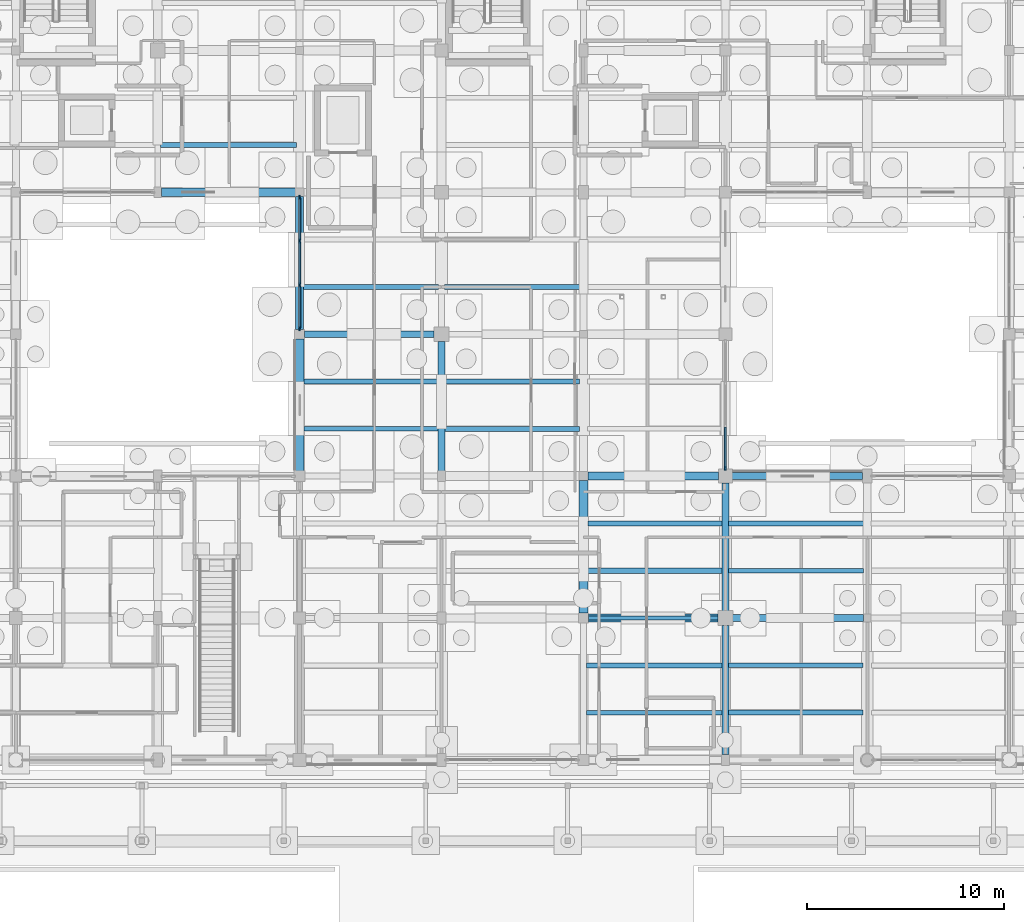
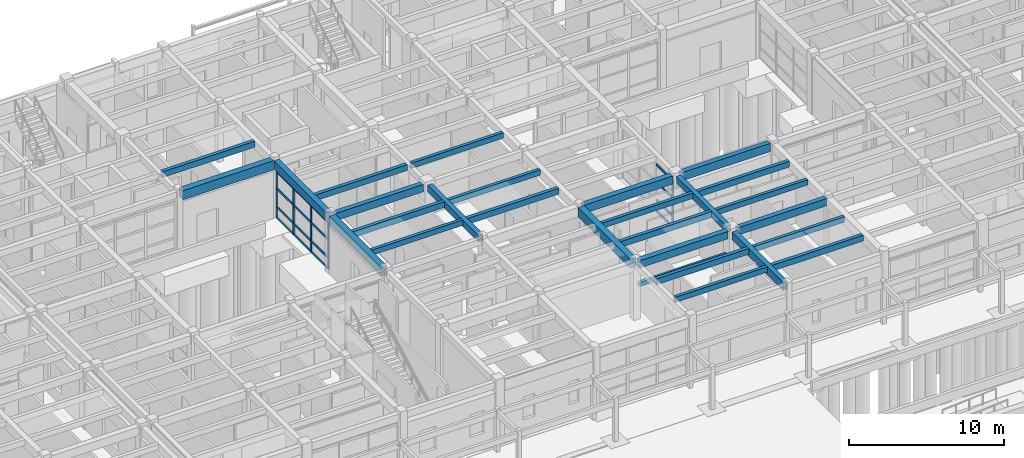
# One storey, part 63 of 143: 28 beams, 21 members, 2 elements without a shape of their own.
"""IFC4 building model written with IfcOpenShell, lengths in metres."""

from ifc_helpers import new_model, si_unit, direction, frame, origin, origin_2d, place, context, subcontext, project, spatial, rectangle, extrude, material, material_profile, profile_set, type_object, element, aggregate, save


model = new_model("IFC4")

# Units and contexts
model_context = context("Model", 3, precision=1e-05, world=origin(), true_north=direction((0.0, 1.0)))
body_context = subcontext(model_context, "Body", "Model", "MODEL_VIEW")
ifc_project = project(units=[si_unit("LENGTHUNIT", "METRE"), si_unit("AREAUNIT", "SQUARE_METRE"), si_unit("VOLUMEUNIT", "CUBIC_METRE"), si_unit("PLANEANGLEUNIT", "RADIAN"), si_unit("MASSUNIT", "GRAM", prefix="KILO")], contexts=[model_context])

# Site, building, storey
site_placement = place(None, origin())
site = spatial("IfcSite", under=ifc_project, at=site_placement, CompositionType="ELEMENT")
building_placement = place(site_placement, origin())
building = spatial("IfcBuilding", under=site, at=building_placement, Name="Steenspoor Specialist Clinic", CompositionType="ELEMENT")
storey_placement = place(building_placement, origin())
storey = spatial("IfcBuildingStorey", under=building, at=storey_placement, Name="L00", CompositionType="ELEMENT", Elevation=0.0)

# Beams
ifc_material_1 = material(Name="Concrete C35/45", Category="concrete")
ifc_material_profile_1 = material_profile(ifc_material_1, rectangle(XDim=0.35009765625, YDim=0.52001953125, at=origin_2d()), Name="RC-BM-350X520")
ifc_profile_set_1 = profile_set([ifc_material_profile_1], Name="Concrete C35/45")
beam_type_1 = type_object("IfcBeamType", Name="BM-RC-350X520", PredefinedType="BEAM", material=ifc_profile_set_1)
beam_1_placement = place(storey_placement, frame((81.199951171875, 79.820068359375, 4.2900390625), z_axis=(0.0, 1.0, 0.0), x_axis=(-1.0, 0.0, 0.0)))
element("IfcBeam", 1, at=beam_1_placement, inside=storey, type_object=beam_type_1, Name="BM-V4-L00-Y0365", PredefinedType="BEAM", context=body_context, shape_type="SweptSolid", body=[
    extrude(rectangle(XDim=0.35009765625, YDim=0.52001953125, at=origin_2d()), origin(), (0.0, 0.0, 1.0), 6.559814453125),
])
beam_2_placement = place(storey_placement, frame((95.60009765625, 72.719970703125, 4.2900390625), z_axis=(0.0, 1.0, 0.0), x_axis=(-1.0, 0.0, 0.0)))
element("IfcBeam", 2, at=beam_2_placement, inside=storey, type_object=beam_type_1, Name="BM-V4-L00-Y0376", PredefinedType="BEAM", context=body_context, shape_type="SweptSolid", body=[
    extrude(rectangle(XDim=0.35009765625, YDim=0.52001953125, at=origin_2d()), origin(), (0.0, 0.0, 1.0), 6.485107421875),
])
ifc_material_profile_2 = material_profile(ifc_material_1, rectangle(XDim=0.35009765625, YDim=0.580078125, at=origin_2d()), Name="RC-BM-350X580")
ifc_profile_set_2 = profile_set([ifc_material_profile_2], Name="Concrete C35/45")
beam_type_2 = type_object("IfcBeamType", Name="BM-RC-350X580", PredefinedType="BEAM", material=ifc_profile_set_2)
beam_3_placement = place(storey_placement, frame((95.969970703125, 72.35009765625, 4.260009765625), z_axis=(1.0, 0.0, 0.0), x_axis=(0.0, 1.0, 0.0)))
element("IfcBeam", 3, at=beam_3_placement, inside=storey, type_object=beam_type_2, Name="BM-V4-L00-X0300", PredefinedType="BEAM", context=body_context, shape_type="SweptSolid", body=[
    extrude(rectangle(XDim=0.35009765625, YDim=0.580078125, at=origin_2d()), origin(), (0.0, 0.0, 1.0), 6.635009765625),
])
beam_4_placement = place(storey_placement, frame((74.2451171875, 86.75, 4.260009765625), z_axis=(1.0, 0.0, 0.0), x_axis=(0.0, 1.0, 0.0)))
element("IfcBeam", 4, at=beam_4_placement, inside=storey, type_object=beam_type_2, Name="BM-V4-L00-X0313", PredefinedType="BEAM", context=body_context, shape_type="SweptSolid", body=[
    extrude(rectangle(XDim=0.35009765625, YDim=0.580078125, at=origin_2d()), origin(), (0.0, 0.0, 1.0), 6.5849609375),
])
ifc_material_profile_3 = material_profile(ifc_material_1, rectangle(XDim=0.35009765625, YDim=0.64990234375, at=origin_2d()), Name="RC-BM-350X650")
ifc_profile_set_3 = profile_set([ifc_material_profile_3], Name="Concrete C35/45")
beam_type_3 = type_object("IfcBeamType", Name="BM-RC-350X650", PredefinedType="BEAM", material=ifc_profile_set_3)
beam_5_placement = place(storey_placement, frame((95.945068359375, 79.550048828125, 4.22509765625), z_axis=(1.0, 0.0, 0.0), x_axis=(0.0, 1.0, 0.0)))
element("IfcBeam", 5, at=beam_5_placement, inside=storey, type_object=beam_type_3, Name="BM-V4-L00-X0309", PredefinedType="BEAM", context=body_context, shape_type="SweptSolid", body=[
    extrude(rectangle(XDim=0.35009765625, YDim=0.64990234375, at=origin_2d()), origin(), (0.0, 0.0, 1.0), 6.60986328125),
])
beam_6_placement = place(storey_placement, frame((95.60009765625, 65.419921875, 4.22509765625), z_axis=(0.0, 1.0, 0.0), x_axis=(-1.0, 0.0, 0.0)))
element("IfcBeam", 6, at=beam_6_placement, inside=storey, type_object=beam_type_3, Name="BM-V4-L00-Y0375", PredefinedType="BEAM", context=body_context, shape_type="SweptSolid", body=[
    extrude(rectangle(XDim=0.35009765625, YDim=0.64990234375, at=origin_2d()), origin(), (0.0, 0.0, 1.0), 6.56005859375),
])
ifc_material_profile_4 = material_profile(ifc_material_1, rectangle(XDim=0.39990234375, YDim=0.580078125, at=origin_2d()), Name="RC-BM-400X580")
ifc_profile_set_4 = profile_set([ifc_material_profile_4], Name="Concrete C35/45")
beam_type_4 = type_object("IfcBeamType", Name="BM-RC-400X580", PredefinedType="BEAM", material=ifc_profile_set_4)
beam_7_placement = place(storey_placement, frame((88.64501953125, 72.35009765625, 4.260009765625), z_axis=(1.0, 0.0, 0.0), x_axis=(0.0, 1.0, 0.0)))
element("IfcBeam", 7, at=beam_7_placement, inside=storey, type_object=beam_type_4, Name="BM-V4-L00-X0299", PredefinedType="BEAM", context=body_context, shape_type="SweptSolid", body=[
    extrude(rectangle(XDim=0.39990234375, YDim=0.580078125, at=origin_2d()), origin(), (0.0, 0.0, 1.0), 6.5849609375),
])
ifc_material_profile_5 = material_profile(ifc_material_1, rectangle(XDim=0.39990234375, YDim=0.64990234375, at=origin_2d()), Name="RC-BM-400X650")
ifc_profile_set_5 = profile_set([ifc_material_profile_5], Name="Concrete C35/45")
beam_type_5 = type_object("IfcBeamType", Name="BM-RC-400X650", PredefinedType="BEAM", material=ifc_profile_set_5)
beam_8_placement = place(storey_placement, frame((88.6201171875, 79.550048828125, 4.22509765625), z_axis=(1.0, 0.0, 0.0), x_axis=(0.0, 1.0, 0.0)))
element("IfcBeam", 8, at=beam_8_placement, inside=storey, type_object=beam_type_5, Name="BM-V4-L00-X0308", PredefinedType="BEAM", context=body_context, shape_type="SweptSolid", body=[
    extrude(rectangle(XDim=0.39990234375, YDim=0.64990234375, at=origin_2d()), origin(), (0.0, 0.0, 1.0), 6.634765625),
])
beam_9_placement = place(storey_placement, frame((74.0, 86.9951171875, 4.22509765625), z_axis=(0.0, 1.0, 0.0), x_axis=(-1.0, 0.0, 0.0)))
element("IfcBeam", 9, at=beam_9_placement, inside=storey, type_object=beam_type_5, Name="BM-V4-L00-Y0360", PredefinedType="BEAM", context=body_context, shape_type="SweptSolid", body=[
    extrude(rectangle(XDim=0.39990234375, YDim=0.64990234375, at=origin_2d()), origin(), (0.0, 0.0, 1.0), 6.73486328125),
])
ifc_material_profile_6 = material_profile(ifc_material_1, rectangle(XDim=0.449951171875, YDim=0.719970703125, at=origin_2d()), Name="RC-BM-450X720")
ifc_profile_set_6 = profile_set([ifc_material_profile_6], Name="Concrete C35/45")
beam_type_6 = type_object("IfcBeamType", Name="BM-RC-450X720", PredefinedType="BEAM", material=ifc_profile_set_6)
beam_10_placement = place(storey_placement, frame((66.9951171875, 93.949951171875, 4.18994140625), z_axis=(1.0, 0.0, 0.0), x_axis=(0.0, 1.0, 0.0)))
element("IfcBeam", 10, at=beam_10_placement, inside=storey, type_object=beam_type_6, Name="BM-V4-L00-X0319", PredefinedType="BEAM", context=body_context, shape_type="SweptSolid", body=[
    extrude(rectangle(XDim=0.449951171875, YDim=0.719970703125, at=origin_2d()), origin(), (0.0, 0.0, 1.0), 6.784912109375),
])
beam_11_placement = place(storey_placement, frame((74.0, 79.820068359375, 4.18994140625), z_axis=(0.0, 1.0, 0.0), x_axis=(-1.0, 0.0, 0.0)))
element("IfcBeam", 11, at=beam_11_placement, inside=storey, type_object=beam_type_6, Name="BM-V4-L00-Y0359", PredefinedType="BEAM", context=body_context, shape_type="SweptSolid", body=[
    extrude(rectangle(XDim=0.449951171875, YDim=0.719970703125, at=origin_2d()), origin(), (0.0, 0.0, 1.0), 6.684814453125),
])
beam_12_placement = place(storey_placement, frame((88.39990234375, 72.594970703125, 4.18994140625), z_axis=(0.0, 1.0, 0.0), x_axis=(-1.0, 0.0, 0.0)))
element("IfcBeam", 12, at=beam_12_placement, inside=storey, type_object=beam_type_6, Name="BM-V4-L00-Y0370", PredefinedType="BEAM", context=body_context, shape_type="SweptSolid", body=[
    extrude(rectangle(XDim=0.449951171875, YDim=0.719970703125, at=origin_2d()), origin(), (0.0, 0.0, 1.0), 6.735107421875),
])

# Curtain wall, members
ifc_material_2 = material(Name="Thermally broken aluminium and low-emissivity glass", Category="aluminium")
curtain_wall_type_1 = type_object("IfcCurtainWallType", Name="CW-L00-480X415", PredefinedType="USERDEFINED", material=ifc_material_2)
curtain_wall_1_placement = place(storey_placement, origin())
curtain_wall_1 = element("IfcCurtainWall", 13, at=curtain_wall_1_placement, inside=storey, type_object=curtain_wall_type_1, Name="Unitised Curtain Wall CW-V4-L00-054", ObjectType="UNITISED GLAZING", PredefinedType="USERDEFINED")
ifc_material_3 = material(Name="Thermally broken aluminium 6063-T6", Category="aluminium")
ifc_material_profile_7 = material_profile(ifc_material_3, rectangle(XDim=0.080078125, YDim=0.219970703125, at=origin_2d()), Name="CWM-80X220")
ifc_profile_set_7 = profile_set([ifc_material_profile_7], Name="Thermally broken aluminium 6063-T6")
member_type_1 = type_object("IfcMemberType", Name="CW-MULL-80X220", PredefinedType="MULLION", material=ifc_profile_set_7)
member_1_placement = place(storey_placement, frame((74.0, 87.0400390625, 0.0), z_axis=(0.0, 0.0, 1.0), x_axis=(-1.0, 0.0, 0.0)))
member_1 = element("IfcMember", 14, at=member_1_placement, type_object=member_type_1, Name="CW-06 mullion 1", PredefinedType="MULLION", context=body_context, shape_type="SweptSolid", body=[
    extrude(rectangle(XDim=0.080078125, YDim=0.219970703125, at=origin_2d()), origin(), (0.0, 0.0, 1.0), 3.72998046875),
])
member_2_placement = place(storey_placement, frame((74.0, 89.24169921875, 0.0), z_axis=(0.0, 0.0, 1.0), x_axis=(-1.0, 0.0, 0.0)))
member_2 = element("IfcMember", 15, at=member_2_placement, type_object=member_type_1, Name="CW-06 mullion 2", PredefinedType="MULLION", context=body_context, shape_type="SweptSolid", body=[
    extrude(rectangle(XDim=0.080078125, YDim=0.219970703125, at=origin_2d()), origin(), (0.0, 0.0, 1.0), 3.72998046875),
])
member_3_placement = place(storey_placement, frame((74.0, 91.4833984375, 0.0), z_axis=(0.0, 0.0, 1.0), x_axis=(-1.0, 0.0, 0.0)))
member_3 = element("IfcMember", 16, at=member_3_placement, type_object=member_type_1, Name="CW-06 mullion 3", PredefinedType="MULLION", context=body_context, shape_type="SweptSolid", body=[
    extrude(rectangle(XDim=0.080078125, YDim=0.219970703125, at=origin_2d()), origin(), (0.0, 0.0, 1.0), 3.72998046875),
])
member_4_placement = place(storey_placement, frame((74.0, 93.68505859375, 0.0), z_axis=(0.0, 0.0, 1.0), x_axis=(-1.0, 0.0, 0.0)))
member_4 = element("IfcMember", 17, at=member_4_placement, type_object=member_type_1, Name="CW-06 mullion 4", PredefinedType="MULLION", context=body_context, shape_type="SweptSolid", body=[
    extrude(rectangle(XDim=0.080078125, YDim=0.219970703125, at=origin_2d()), origin(), (0.0, 0.0, 1.0), 3.72998046875),
])

# Curtain wall, member
curtain_wall_type_2 = type_object("IfcCurtainWallType", Name="CW-TYP-540X355", PredefinedType="USERDEFINED", material=ifc_material_2)
curtain_wall_2_placement = place(storey_placement, origin())
curtain_wall_2 = element("IfcCurtainWall", 18, at=curtain_wall_2_placement, inside=storey, type_object=curtain_wall_type_2, Name="Unitised Curtain Wall CW-V4-L00-059", ObjectType="UNITISED GLAZING", PredefinedType="USERDEFINED")
ifc_material_profile_8 = material_profile(ifc_material_3, rectangle(XDim=0.090087890625, YDim=0.199951171875, at=origin_2d()), Name="CWM-90X200")
ifc_profile_set_8 = profile_set([ifc_material_profile_8], Name="Thermally broken aluminium 6063-T6")
member_type_2 = type_object("IfcMemberType", Name="CW-MULL-90X200", PredefinedType="MULLION", material=ifc_profile_set_8)
member_5_placement = place(storey_placement, frame((95.60009765625, 79.945068359375, 0.0), z_axis=(0.0, 0.0, 1.0), x_axis=(1.0, 0.0, 0.0)))
member_5 = element("IfcMember", 19, at=member_5_placement, type_object=member_type_2, Name="CW-11 mullion 4", PredefinedType="MULLION", context=body_context, shape_type="SweptSolid", body=[
    extrude(rectangle(XDim=0.090087890625, YDim=0.199951171875, at=origin_2d()), origin(), (0.0, 0.0, 1.0), 3.72998046875),
])

# Member
ifc_material_profile_9 = material_profile(ifc_material_3, rectangle(XDim=0.090087890625, YDim=0.175048828125, at=origin_2d()), Name="CWT-90X175")
ifc_profile_set_9 = profile_set([ifc_material_profile_9], Name="Thermally broken aluminium 6063-T6")
member_type_3 = type_object("IfcMemberType", Name="CW-TRAN-90X175", PredefinedType="USERDEFINED", material=ifc_profile_set_9)
member_6_placement = place(storey_placement, frame((74.0, 87.080078125, 0.044921875), z_axis=(0.0, 1.0, 0.0), x_axis=(-1.0, 0.0, 0.0)))
member_6 = element("IfcMember", 20, at=member_6_placement, type_object=member_type_3, Name="CW-06 transom 1.1", ObjectType="TRANSOM", PredefinedType="USERDEFINED", context=body_context, shape_type="SweptSolid", body=[
    extrude(rectangle(XDim=0.090087890625, YDim=0.175048828125, at=origin_2d()), origin(), (0.0, 0.0, 1.0), 2.12158203125),
])

member_7_placement = place(storey_placement, frame((74.0, 87.080078125, 0.89990234375), z_axis=(0.0, 1.0, 0.0), x_axis=(-1.0, 0.0, 0.0)))
member_7 = element("IfcMember", 21, at=member_7_placement, type_object=member_type_3, Name="CW-06 transom 1.2", ObjectType="TRANSOM", PredefinedType="USERDEFINED", context=body_context, shape_type="SweptSolid", body=[
    extrude(rectangle(XDim=0.090087890625, YDim=0.175048828125, at=origin_2d()), origin(), (0.0, 0.0, 1.0), 2.12158203125),
])

member_8_placement = place(storey_placement, frame((74.0, 87.080078125, 2.35009765625), z_axis=(0.0, 1.0, 0.0), x_axis=(-1.0, 0.0, 0.0)))
member_8 = element("IfcMember", 22, at=member_8_placement, type_object=member_type_3, Name="CW-06 transom 1.3", ObjectType="TRANSOM", PredefinedType="USERDEFINED", context=body_context, shape_type="SweptSolid", body=[
    extrude(rectangle(XDim=0.090087890625, YDim=0.175048828125, at=origin_2d()), origin(), (0.0, 0.0, 1.0), 2.12158203125),
])

member_9_placement = place(storey_placement, frame((74.0, 87.080078125, 3.68505859375), z_axis=(0.0, 1.0, 0.0), x_axis=(-1.0, 0.0, 0.0)))
member_9 = element("IfcMember", 23, at=member_9_placement, type_object=member_type_3, Name="CW-06 transom 1.4", ObjectType="TRANSOM", PredefinedType="USERDEFINED", context=body_context, shape_type="SweptSolid", body=[
    extrude(rectangle(XDim=0.090087890625, YDim=0.175048828125, at=origin_2d()), origin(), (0.0, 0.0, 1.0), 2.12158203125),
])

member_10_placement = place(storey_placement, frame((74.0, 89.28173828125, 0.044921875), z_axis=(0.0, 1.0, 0.0), x_axis=(-1.0, 0.0, 0.0)))
member_10 = element("IfcMember", 24, at=member_10_placement, type_object=member_type_3, Name="CW-06 transom 2.1", ObjectType="TRANSOM", PredefinedType="USERDEFINED", context=body_context, shape_type="SweptSolid", body=[
    extrude(rectangle(XDim=0.090087890625, YDim=0.175048828125, at=origin_2d()), origin(), (0.0, 0.0, 1.0), 2.16162109375),
])

member_11_placement = place(storey_placement, frame((74.0, 89.28173828125, 0.89990234375), z_axis=(0.0, 1.0, 0.0), x_axis=(-1.0, 0.0, 0.0)))
member_11 = element("IfcMember", 25, at=member_11_placement, type_object=member_type_3, Name="CW-06 transom 2.2", ObjectType="TRANSOM", PredefinedType="USERDEFINED", context=body_context, shape_type="SweptSolid", body=[
    extrude(rectangle(XDim=0.090087890625, YDim=0.175048828125, at=origin_2d()), origin(), (0.0, 0.0, 1.0), 2.16162109375),
])

member_12_placement = place(storey_placement, frame((74.0, 89.28173828125, 2.35009765625), z_axis=(0.0, 1.0, 0.0), x_axis=(-1.0, 0.0, 0.0)))
member_12 = element("IfcMember", 26, at=member_12_placement, type_object=member_type_3, Name="CW-06 transom 2.3", ObjectType="TRANSOM", PredefinedType="USERDEFINED", context=body_context, shape_type="SweptSolid", body=[
    extrude(rectangle(XDim=0.090087890625, YDim=0.175048828125, at=origin_2d()), origin(), (0.0, 0.0, 1.0), 2.16162109375),
])

member_13_placement = place(storey_placement, frame((74.0, 89.28173828125, 3.68505859375), z_axis=(0.0, 1.0, 0.0), x_axis=(-1.0, 0.0, 0.0)))
member_13 = element("IfcMember", 27, at=member_13_placement, type_object=member_type_3, Name="CW-06 transom 2.4", ObjectType="TRANSOM", PredefinedType="USERDEFINED", context=body_context, shape_type="SweptSolid", body=[
    extrude(rectangle(XDim=0.090087890625, YDim=0.175048828125, at=origin_2d()), origin(), (0.0, 0.0, 1.0), 2.16162109375),
])

member_14_placement = place(storey_placement, frame((74.0, 91.5234375, 0.044921875), z_axis=(0.0, 1.0, 0.0), x_axis=(-1.0, 0.0, 0.0)))
member_14 = element("IfcMember", 28, at=member_14_placement, type_object=member_type_3, Name="CW-06 transom 3.1", ObjectType="TRANSOM", PredefinedType="USERDEFINED", context=body_context, shape_type="SweptSolid", body=[
    extrude(rectangle(XDim=0.090087890625, YDim=0.175048828125, at=origin_2d()), origin(), (0.0, 0.0, 1.0), 2.12158203125),
])

member_15_placement = place(storey_placement, frame((74.0, 91.5234375, 0.89990234375), z_axis=(0.0, 1.0, 0.0), x_axis=(-1.0, 0.0, 0.0)))
member_15 = element("IfcMember", 29, at=member_15_placement, type_object=member_type_3, Name="CW-06 transom 3.2", ObjectType="TRANSOM", PredefinedType="USERDEFINED", context=body_context, shape_type="SweptSolid", body=[
    extrude(rectangle(XDim=0.090087890625, YDim=0.175048828125, at=origin_2d()), origin(), (0.0, 0.0, 1.0), 2.12158203125),
])

member_16_placement = place(storey_placement, frame((74.0, 91.5234375, 2.35009765625), z_axis=(0.0, 1.0, 0.0), x_axis=(-1.0, 0.0, 0.0)))
member_16 = element("IfcMember", 30, at=member_16_placement, type_object=member_type_3, Name="CW-06 transom 3.3", ObjectType="TRANSOM", PredefinedType="USERDEFINED", context=body_context, shape_type="SweptSolid", body=[
    extrude(rectangle(XDim=0.090087890625, YDim=0.175048828125, at=origin_2d()), origin(), (0.0, 0.0, 1.0), 2.12158203125),
])

member_17_placement = place(storey_placement, frame((74.0, 91.5234375, 3.68505859375), z_axis=(0.0, 1.0, 0.0), x_axis=(-1.0, 0.0, 0.0)))
member_17 = element("IfcMember", 31, at=member_17_placement, type_object=member_type_3, Name="CW-06 transom 3.4", ObjectType="TRANSOM", PredefinedType="USERDEFINED", context=body_context, shape_type="SweptSolid", body=[
    extrude(rectangle(XDim=0.090087890625, YDim=0.175048828125, at=origin_2d()), origin(), (0.0, 0.0, 1.0), 2.12158203125),
])

aggregate(curtain_wall_1, [member_1, member_2, member_3, member_4, member_6, member_7, member_8, member_9, member_10, member_11, member_12, member_13, member_14, member_15, member_16, member_17])

member_18_placement = place(storey_placement, frame((95.60009765625, 82.030029296875, 0.044921875), z_axis=(0.0, -1.0, 0.0), x_axis=(1.0, 0.0, 0.0)))
member_18 = element("IfcMember", 32, at=member_18_placement, type_object=member_type_3, Name="CW-11 transom 3.1", ObjectType="TRANSOM", PredefinedType="USERDEFINED", context=body_context, shape_type="SweptSolid", body=[
    extrude(rectangle(XDim=0.090087890625, YDim=0.175048828125, at=origin_2d()), origin(), (0.0, 0.0, 1.0), 2.0400390625),
])

member_19_placement = place(storey_placement, frame((95.60009765625, 82.030029296875, 0.89990234375), z_axis=(0.0, -1.0, 0.0), x_axis=(1.0, 0.0, 0.0)))
member_19 = element("IfcMember", 33, at=member_19_placement, type_object=member_type_3, Name="CW-11 transom 3.2", ObjectType="TRANSOM", PredefinedType="USERDEFINED", context=body_context, shape_type="SweptSolid", body=[
    extrude(rectangle(XDim=0.090087890625, YDim=0.175048828125, at=origin_2d()), origin(), (0.0, 0.0, 1.0), 2.0400390625),
])

member_20_placement = place(storey_placement, frame((95.60009765625, 82.030029296875, 2.35009765625), z_axis=(0.0, -1.0, 0.0), x_axis=(1.0, 0.0, 0.0)))
member_20 = element("IfcMember", 34, at=member_20_placement, type_object=member_type_3, Name="CW-11 transom 3.3", ObjectType="TRANSOM", PredefinedType="USERDEFINED", context=body_context, shape_type="SweptSolid", body=[
    extrude(rectangle(XDim=0.090087890625, YDim=0.175048828125, at=origin_2d()), origin(), (0.0, 0.0, 1.0), 2.0400390625),
])

member_21_placement = place(storey_placement, frame((95.60009765625, 82.030029296875, 3.68505859375), z_axis=(0.0, -1.0, 0.0), x_axis=(1.0, 0.0, 0.0)))
member_21 = element("IfcMember", 35, at=member_21_placement, type_object=member_type_3, Name="CW-11 transom 3.4", ObjectType="TRANSOM", PredefinedType="USERDEFINED", context=body_context, shape_type="SweptSolid", body=[
    extrude(rectangle(XDim=0.090087890625, YDim=0.175048828125, at=origin_2d()), origin(), (0.0, 0.0, 1.0), 2.0400390625),
])

aggregate(curtain_wall_2, [member_5, member_18, member_19, member_20, member_21])

# Beams
ifc_material_profile_10 = material_profile(ifc_material_1, rectangle(XDim=0.239990234375, YDim=0.419921875, at=origin_2d()), Name="RC-JT-240X420")
ifc_profile_set_10 = profile_set([ifc_material_profile_10], Name="Concrete C35/45")
beam_type_7 = type_object("IfcBeamType", Name="JT-RC-240X420", PredefinedType="JOIST", material=ifc_profile_set_10)
beam_13_placement = place(storey_placement, frame((74.219970703125, 81.949951171875, 4.340087890625), z_axis=(1.0, 0.0, 0.0), x_axis=(0.0, 1.0, 0.0)))
element("IfcBeam", 36, at=beam_13_placement, inside=storey, type_object=beam_type_7, Name="JT-V4-L00-0423", PredefinedType="JOIST", context=body_context, shape_type="SweptSolid", body=[
    extrude(rectangle(XDim=0.239990234375, YDim=0.419921875, at=origin_2d()), origin(), (0.0, 0.0, 1.0), 6.81005859375),
])
beam_14_placement = place(storey_placement, frame((81.3701171875, 84.35009765625, 4.340087890625), z_axis=(1.0, 0.0, 0.0), x_axis=(0.0, 1.0, 0.0)))
element("IfcBeam", 37, at=beam_14_placement, inside=storey, type_object=beam_type_7, Name="JT-V4-L00-0432", PredefinedType="JOIST", context=body_context, shape_type="SweptSolid", body=[
    extrude(rectangle(XDim=0.239990234375, YDim=0.419921875, at=origin_2d()), origin(), (0.0, 0.0, 1.0), 6.8349609375),
])
for number, where, z_axis, x_axis, name in (
    (38, (81.344970703125, 89.14990234375, 4.340087890625), (1.0, 0.0, 0.0), (0.0, 1.0, 0.0), "JT-V4-L00-0433"),
    (39, (88.544921875, 67.550048828125, 4.340087890625), (1.0, 0.0, 0.0), (0.0, 1.0, 0.0), "JT-V4-L00-0437"),
):
    element("IfcBeam", number, at=place(storey_placement, frame(where, z_axis=z_axis, x_axis=x_axis)), inside=storey, type_object=beam_type_7, Name=name, PredefinedType="JOIST", context=body_context, shape_type="SweptSolid", body=[
        extrude(rectangle(XDim=0.239990234375, YDim=0.419921875, at=origin_2d()), origin(), (0.0, 0.0, 1.0), 6.885009765625),
    ])
beam_15_placement = place(storey_placement, frame((88.6201171875, 77.14990234375, 4.340087890625), z_axis=(1.0, 0.0, 0.0), x_axis=(0.0, 1.0, 0.0)))
element("IfcBeam", 40, at=beam_15_placement, inside=storey, type_object=beam_type_7, Name="JT-V4-L00-0440", PredefinedType="JOIST", context=body_context, shape_type="SweptSolid", body=[
    extrude(rectangle(XDim=0.239990234375, YDim=0.419921875, at=origin_2d()), origin(), (0.0, 0.0, 1.0), 6.809814453125),
])
beam_16_placement = place(storey_placement, frame((95.77001953125, 69.949951171875, 4.340087890625), z_axis=(1.0, 0.0, 0.0), x_axis=(0.0, 1.0, 0.0)))
element("IfcBeam", 41, at=beam_16_placement, inside=storey, type_object=beam_type_7, Name="JT-V4-L00-0450", PredefinedType="JOIST", context=body_context, shape_type="SweptSolid", body=[
    extrude(rectangle(XDim=0.239990234375, YDim=0.419921875, at=origin_2d()), origin(), (0.0, 0.0, 1.0), 6.81005859375),
])
beam_17_placement = place(storey_placement, frame((95.77001953125, 74.75, 4.340087890625), z_axis=(1.0, 0.0, 0.0), x_axis=(0.0, 1.0, 0.0)))
element("IfcBeam", 42, at=beam_17_placement, inside=storey, type_object=beam_type_7, Name="JT-V4-L00-0451", PredefinedType="JOIST", context=body_context, shape_type="SweptSolid", body=[
    extrude(rectangle(XDim=0.239990234375, YDim=0.419921875, at=origin_2d()), origin(), (0.0, 0.0, 1.0), 6.8349609375),
])
ifc_material_profile_11 = material_profile(ifc_material_1, rectangle(XDim=0.260009765625, YDim=0.4599609375, at=origin_2d()), Name="RC-JT-260X460")
ifc_profile_set_11 = profile_set([ifc_material_profile_11], Name="Concrete C35/45")
beam_type_8 = type_object("IfcBeamType", Name="JT-RC-260X460", PredefinedType="JOIST", material=ifc_profile_set_11)
beam_18_placement = place(storey_placement, frame((66.945068359375, 96.35009765625, 4.320068359375), z_axis=(1.0, 0.0, 0.0), x_axis=(0.0, 1.0, 0.0)))
element("IfcBeam", 43, at=beam_18_placement, inside=storey, type_object=beam_type_8, Name="JT-V4-L00-0415", PredefinedType="JOIST", context=body_context, shape_type="SweptSolid", body=[
    extrude(rectangle(XDim=0.260009765625, YDim=0.4599609375, at=origin_2d()), origin(), (0.0, 0.0, 1.0), 6.885009765625),
])
beam_19_placement = place(storey_placement, frame((74.219970703125, 84.35009765625, 4.320068359375), z_axis=(1.0, 0.0, 0.0), x_axis=(0.0, 1.0, 0.0)))
element("IfcBeam", 44, at=beam_19_placement, inside=storey, type_object=beam_type_8, Name="JT-V4-L00-0424", PredefinedType="JOIST", context=body_context, shape_type="SweptSolid", body=[
    extrude(rectangle(XDim=0.260009765625, YDim=0.4599609375, at=origin_2d()), origin(), (0.0, 0.0, 1.0), 6.81005859375),
])
beam_20_placement = place(storey_placement, frame((74.195068359375, 89.14990234375, 4.320068359375), z_axis=(1.0, 0.0, 0.0), x_axis=(0.0, 1.0, 0.0)))
element("IfcBeam", 45, at=beam_20_placement, inside=storey, type_object=beam_type_8, Name="JT-V4-L00-0425", PredefinedType="JOIST", context=body_context, shape_type="SweptSolid", body=[
    extrude(rectangle(XDim=0.260009765625, YDim=0.4599609375, at=origin_2d()), origin(), (0.0, 0.0, 1.0), 6.85986328125),
])
beam_21_placement = place(storey_placement, frame((81.3701171875, 81.949951171875, 4.320068359375), z_axis=(1.0, 0.0, 0.0), x_axis=(0.0, 1.0, 0.0)))
element("IfcBeam", 46, at=beam_21_placement, inside=storey, type_object=beam_type_8, Name="JT-V4-L00-0431", PredefinedType="JOIST", context=body_context, shape_type="SweptSolid", body=[
    extrude(rectangle(XDim=0.260009765625, YDim=0.4599609375, at=origin_2d()), origin(), (0.0, 0.0, 1.0), 6.8349609375),
])
beam_22_placement = place(storey_placement, frame((88.544921875, 69.949951171875, 4.320068359375), z_axis=(1.0, 0.0, 0.0), x_axis=(0.0, 1.0, 0.0)))
element("IfcBeam", 47, at=beam_22_placement, inside=storey, type_object=beam_type_8, Name="JT-V4-L00-0438", PredefinedType="JOIST", context=body_context, shape_type="SweptSolid", body=[
    extrude(rectangle(XDim=0.260009765625, YDim=0.4599609375, at=origin_2d()), origin(), (0.0, 0.0, 1.0), 6.885009765625),
])
beam_23_placement = place(storey_placement, frame((88.6201171875, 74.75, 4.320068359375), z_axis=(1.0, 0.0, 0.0), x_axis=(0.0, 1.0, 0.0)))
element("IfcBeam", 48, at=beam_23_placement, inside=storey, type_object=beam_type_8, Name="JT-V4-L00-0439", PredefinedType="JOIST", context=body_context, shape_type="SweptSolid", body=[
    extrude(rectangle(XDim=0.260009765625, YDim=0.4599609375, at=origin_2d()), origin(), (0.0, 0.0, 1.0), 6.809814453125),
])
beam_24_placement = place(storey_placement, frame((95.77001953125, 67.550048828125, 4.320068359375), z_axis=(1.0, 0.0, 0.0), x_axis=(0.0, 1.0, 0.0)))
element("IfcBeam", 49, at=beam_24_placement, inside=storey, type_object=beam_type_8, Name="JT-V4-L00-0449", PredefinedType="JOIST", context=body_context, shape_type="SweptSolid", body=[
    extrude(rectangle(XDim=0.260009765625, YDim=0.4599609375, at=origin_2d()), origin(), (0.0, 0.0, 1.0), 6.81005859375),
])
beam_25_placement = place(storey_placement, frame((95.77001953125, 77.14990234375, 4.320068359375), z_axis=(1.0, 0.0, 0.0), x_axis=(0.0, 1.0, 0.0)))
element("IfcBeam", 50, at=beam_25_placement, inside=storey, type_object=beam_type_8, Name="JT-V4-L00-0452", PredefinedType="JOIST", context=body_context, shape_type="SweptSolid", body=[
    extrude(rectangle(XDim=0.260009765625, YDim=0.4599609375, at=origin_2d()), origin(), (0.0, 0.0, 1.0), 6.8349609375),
])
ifc_material_profile_12 = material_profile(ifc_material_1, rectangle(XDim=0.219970703125, YDim=0.320068359375, at=origin_2d()), Name="RC-LN-220X320")
ifc_profile_set_12 = profile_set([ifc_material_profile_12], Name="Concrete C35/45")
beam_type_9 = type_object("IfcBeamType", Name="LN-RC-220X320", PredefinedType="LINTEL", material=ifc_profile_set_12)
beam_26_placement = place(storey_placement, frame((88.64501953125, 72.35009765625, 2.590087890625), z_axis=(1.0, 0.0, 0.0), x_axis=(0.0, 1.0, 0.0)))
element("IfcBeam", 51, at=beam_26_placement, inside=storey, type_object=beam_type_9, Name="LN-INT-B02", PredefinedType="LINTEL", context=body_context, shape_type="SweptSolid", body=[
    extrude(rectangle(XDim=0.219970703125, YDim=0.320068359375, at=origin_2d()), origin(), (0.0, 0.0, 1.0), 6.5849609375),
])

save(model, "model.ifc")
